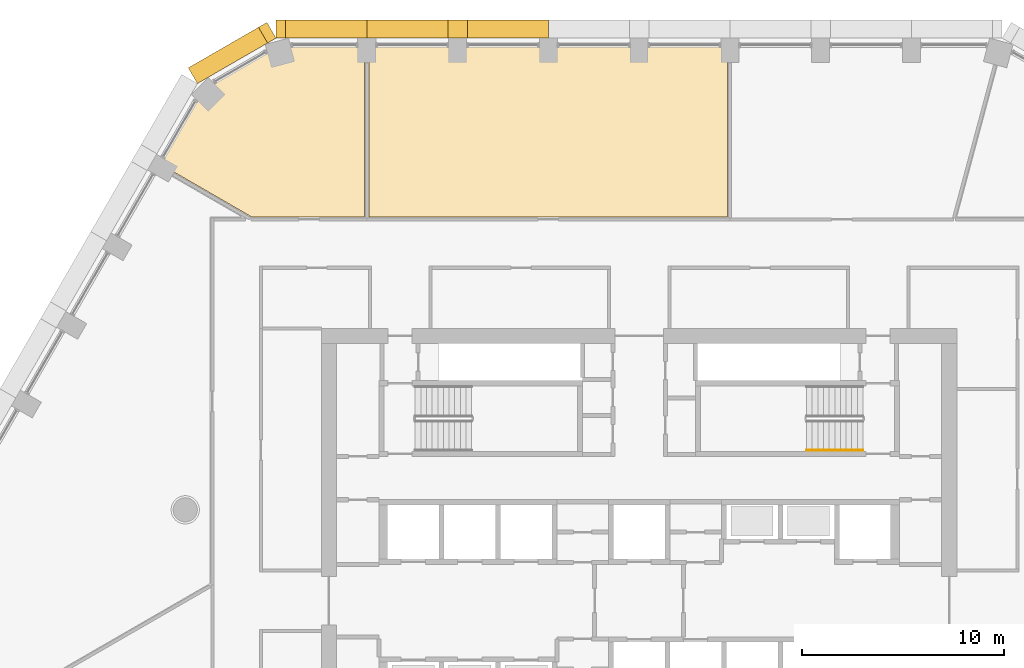
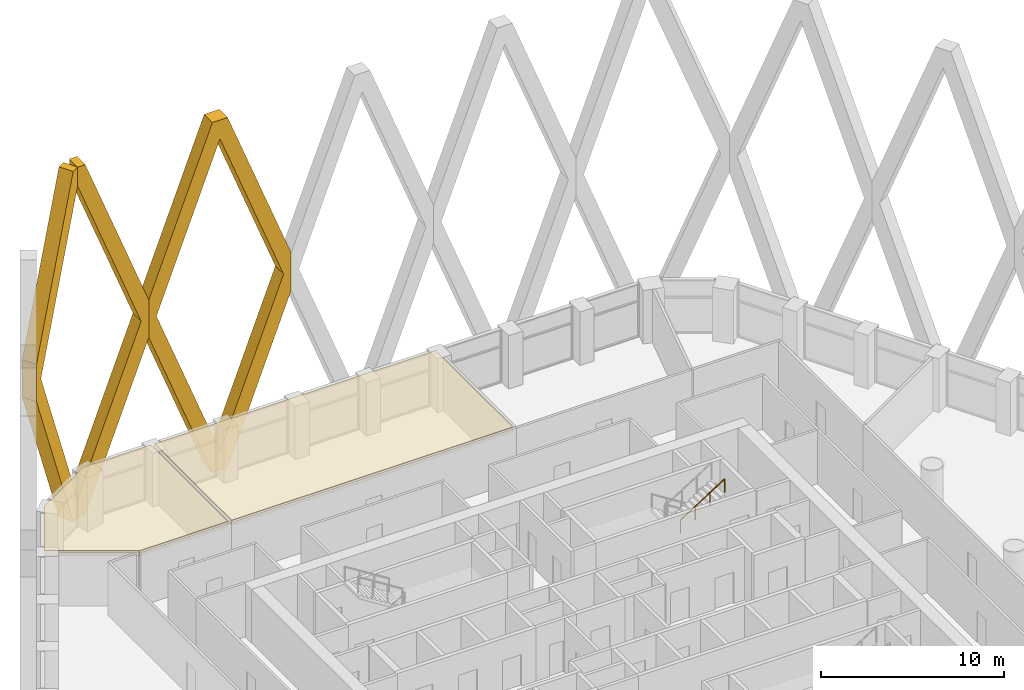
# One storey, part 21 of 24: 5 coverings, 1 railing.
"""IFC4 building model written with IfcOpenShell, lengths in metres."""

from ifc_helpers import new_model, si_unit, direction, frame, origin, origin_2d, place, context, subcontext, project, spatial, polyline, circle, outline, extrude, material, layer, layer_set, type_object, element, save


model = new_model("IFC4")

# Units and contexts
model_context = context("Model", 3, precision=1e-05, world=origin(), true_north=direction((0.0, 1.0)))
body_context = subcontext(model_context, "Body", "Model", "MODEL_VIEW")
ifc_project = project(units=[si_unit("LENGTHUNIT", "METRE"), si_unit("AREAUNIT", "SQUARE_METRE"), si_unit("VOLUMEUNIT", "CUBIC_METRE"), si_unit("PLANEANGLEUNIT", "RADIAN"), si_unit("MASSUNIT", "GRAM", prefix="KILO")], contexts=[model_context])

# Site, building, storey
site_placement = place(None, origin())
site = spatial("IfcSite", under=ifc_project, at=site_placement, CompositionType="ELEMENT")
building_placement = place(site_placement, origin())
building = spatial("IfcBuilding", under=site, at=building_placement, Name="Dhurran Vertical Campus", CompositionType="ELEMENT")
storey_placement = place(building_placement, frame((0.0, 0.0, 132.60009765625)))
storey = spatial("IfcBuildingStorey", under=building, at=storey_placement, Name="L32", CompositionType="ELEMENT", Elevation=132.60009765625)

# Coverings
ifc_material_1 = material(Name="Precast concrete C50/60", Category="concrete")
covering_type_1 = type_object("IfcCoveringType", Name="Folded precast fin lattice diamond", PredefinedType="USERDEFINED", material=ifc_material_1)
covering_1_placement = place(storey_placement, frame((-4.5, 27.8828125, 0.0), z_axis=(0.0, 1.0, 0.0), x_axis=(-1.0, 0.0, 0.0)))
element("IfcCovering", 1, at=covering_1_placement, inside=storey, type_object=covering_type_1, Name="FN1 L32.018", ObjectType="FIN", PredefinedType="USERDEFINED", context=body_context, shape_type="SweptSolid", body=[
    extrude(outline(polyline([(9.0, 12.95361328125), (9.0, 10.4462890625), (4.982177734375, 0.0), (4.017822265625, 0.0), (0.0, 10.4462890625), (0.0, 12.95361328125), (4.017822265625, 23.39990234375), (4.982177734375, 23.39990234375), (9.0, 12.95361328125)]), holes=[polyline([(8.517822265625, 11.699951171875), (4.5, 22.146484375), (0.482177734375, 11.699951171875), (4.5, 1.253662109375), (8.517822265625, 11.699951171875)])]), origin(), (0.0, 0.0, 1.0), 0.89990234375),
])
covering_2_placement = place(storey_placement, frame((-13.5, 27.8828125, 0.0), z_axis=(0.0, 1.0, 0.0), x_axis=(-1.0, 0.0, 0.0)))
element("IfcCovering", 2, at=covering_2_placement, inside=storey, type_object=covering_type_1, Name="FN1 L32.019", ObjectType="FIN", PredefinedType="USERDEFINED", context=body_context, shape_type="SweptSolid", body=[
    extrude(outline(polyline([(4.017822265625, 0.0), (0.0, 10.4462890625), (0.0, 12.95361328125), (4.017822265625, 23.39990234375), (4.5, 23.39990234375), (4.5, 22.146484375), (0.482177734375, 11.699951171875), (4.5, 1.253662109375), (4.5, 0.0), (4.017822265625, 0.0)])), origin(), (0.0, 0.0, 1.0), 0.89990234375),
])
covering_3_placement = place(storey_placement, frame((-18.0, 27.8828125, 0.0), z_axis=(-0.50001992892, 0.866013897511, 0.0), x_axis=(-0.866013897511, -0.50001992892, 0.0)))
element("IfcCovering", 3, at=covering_3_placement, inside=storey, type_object=covering_type_1, Name="FN1 L32.020", ObjectType="FIN", PredefinedType="USERDEFINED", context=body_context, shape_type="SweptSolid", body=[
    extrude(outline(polyline([(4.5, 10.4462890625), (0.482177734375, 0.0), (0.0, 0.0), (0.0, 1.253662109375), (4.017822265625, 11.699951171875), (0.0, 22.146484375), (0.0, 23.39990234375), (0.482177734375, 23.39990234375), (4.5, 12.95361328125), (4.5, 10.4462890625)])), origin(), (0.0, 0.0, 1.0), 0.89990234375),
])

# Railing
ifc_material_2 = material(Name="Stainless steel handrail", Category="steel")
railing_type = type_object("IfcRailingType", Name="co-RL-HANDRAIL-900", PredefinedType="HANDRAIL", material=ifc_material_2)
railing_placement = place(storey_placement, frame((8.300048828125, 7.449951171875, 2.127197265625)))
element("IfcRailing", 4, at=railing_placement, inside=storey, type_object=railing_type, Name="L32 ST2 stair handrail 2", PredefinedType="HANDRAIL", context=body_context, shape_type="SweptSolid", body=[
    extrude(circle(Radius=0.02392578125, at=origin_2d()), frame((0.0, 0.0, 0.8759765625), z_axis=(0.844908973607, 0.0, 0.534910110503), x_axis=(0.0, 1.0, 0.0)), (0.0, 0.0, 1.0), 3.31396484375),
    extrude(circle(Radius=0.02099609375, at=origin_2d()), origin(), (0.0, 0.0, 1.0), 0.851806640625),
    extrude(circle(Radius=0.02099609375, at=origin_2d()), frame((0.933349609375, 0.0, 0.5908203125)), (0.0, 0.0, 1.0), 0.851806640625),
    extrude(circle(Radius=0.02099609375, at=origin_2d()), frame((1.86669921875, 0.0, 1.181884765625)), (0.0, 0.0, 1.0), 0.851806640625),
    extrude(circle(Radius=0.02099609375, at=origin_2d()), frame((2.800048828125, 0.0, 1.772705078125)), (0.0, 0.0, 1.0), 0.851806640625),
])

# Coverings
ifc_material_3 = material(Name="Mineral fibre ceiling tiles on suspended grid")
ifc_layer = layer(ifc_material_3, 0.35009765625)
ifc_layer_set = layer_set([ifc_layer], Name="Mineral fibre ceiling tiles on suspended grid")
covering_type_2 = type_object("IfcCoveringType", Name="fl-CE-350 suspended ceiling", PredefinedType="CEILING", material=ifc_layer_set)
covering_4_placement = place(storey_placement, frame((0.0, 0.0, 3.224853515625)))
element("IfcCovering", 5, at=covering_4_placement, inside=storey, type_object=covering_type_2, Name="Ceiling 32-12", PredefinedType="CEILING", context=body_context, shape_type="SweptSolid", body=[
    extrude(outline(polyline([(-13.6201171875, 19.02001953125), (-19.2041015625, 19.02001953125), (-23.722900390625, 21.6298828125), (-21.589111328125, 25.324951171875), (-17.887939453125, 27.462890625), (-13.6201171875, 27.462890625), (-13.6201171875, 19.02001953125)])), origin(), (0.0, 0.0, 1.0), 0.35009765625),
])
covering_5_placement = place(storey_placement, frame((0.0, 0.0, 3.224853515625)))
element("IfcCovering", 6, at=covering_5_placement, inside=storey, type_object=covering_type_2, Name="Ceiling 32-20", PredefinedType="CEILING", context=body_context, shape_type="SweptSolid", body=[
    extrude(outline(polyline([(-13.3798828125, 27.462890625), (4.3798828125, 27.462890625), (4.3798828125, 19.02001953125), (-13.3798828125, 19.02001953125), (-13.3798828125, 27.462890625)])), origin(), (0.0, 0.0, 1.0), 0.35009765625),
])

save(model, "model.ifc")
